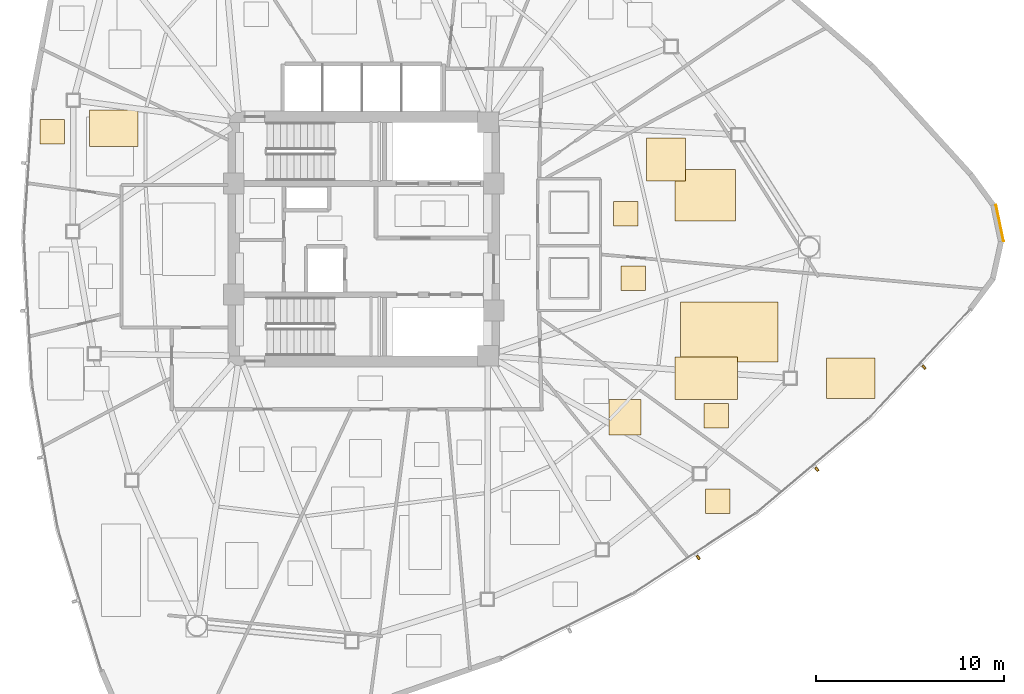
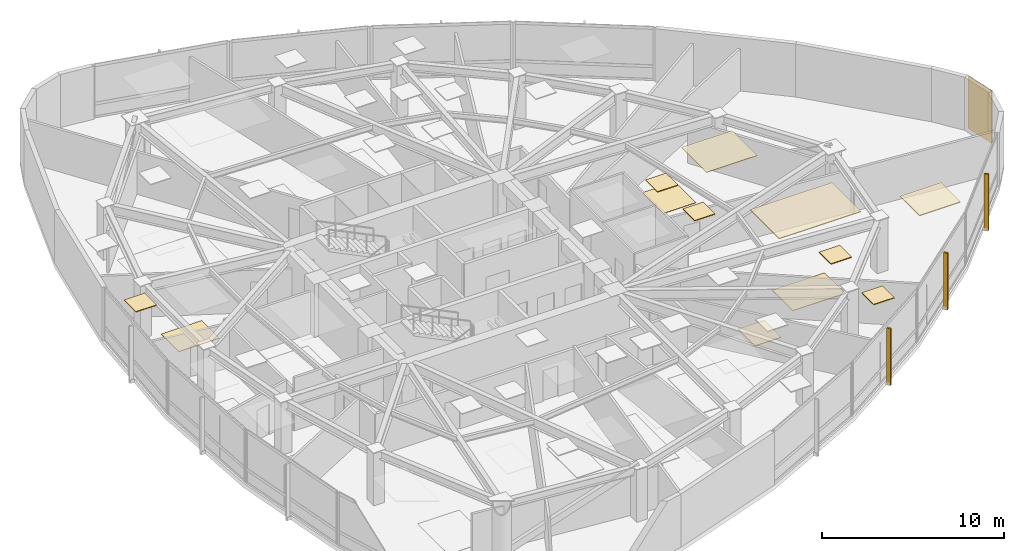
# One storey, part 17 of 18: 13 coverings, 3 shading devices.
"""IFC4 building model written with IfcOpenShell, lengths in metres."""

import ifcopenshell
import ifcopenshell.guid

model = None  # the IFC model being written
_history = None  # IfcOwnerHistory: only IFC2X3 demands one
_inside = {}  # id of a spatial element -> (the spatial element, [elements in it])
_under = {}  # id of a project, library or spatial element -> (it, [spatial elements below it])
_declared = {}  # id of a project -> (the project, [libraries it declares])
_typed = {}  # id of a type object -> (the type object, [elements of that type])
_made_of = {}  # id of a material, layer set ... -> (it, [elements and type objects made of it])


def new_model(schema):
    """Start an empty IFC model of exactly this schema.

    Asked for "IFC4X3", IfcOpenShell would pick the latest addendum, in which some entities
    have other attributes; the version numbers below select the first issue.
    IFC2X3 requires an IfcOwnerHistory on every rooted entity: one is made here for all.
    """
    global model, _history
    if schema == "IFC4X3":
        model = ifcopenshell.file(schema_version=(4, 3, 0, 0))
    else:
        model = ifcopenshell.file(schema=schema)
    _inside.clear()
    _under.clear()
    _declared.clear()
    _typed.clear()
    _made_of.clear()
    _history = None
    if model.schema == "IFC2X3":
        org = make("IfcOrganization", Name="unknown")
        user = make(
            "IfcPersonAndOrganization",
            ThePerson=make("IfcPerson", FamilyName="unknown"),
            TheOrganization=org,
        )
        app = make(
            "IfcApplication",
            ApplicationDeveloper=org,
            Version="unknown",
            ApplicationFullName="unknown",
            ApplicationIdentifier="unknown",
        )
        _history = make(
            "IfcOwnerHistory",
            OwningUser=user,
            OwningApplication=app,
            ChangeAction="ADDED",
            CreationDate=0,
        )
    return model


def make(cls, **values):
    """One entity of the class cls with the attributes given. An attribute that is None is left unset."""
    return model.create_entity(
        cls, **{name: value for name, value in values.items() if value is not None}
    )


def rooted(cls, **values):
    """An entity with a GlobalId (a new one), such as an element, a storey or a relation."""
    return make(cls, GlobalId=ifcopenshell.guid.new(), OwnerHistory=_history, **values)


def si_unit(unit_type, name, prefix=None):
    """IfcSIUnit, for example si_unit("LENGTHUNIT", "METRE", prefix="MILLI")."""
    return make("IfcSIUnit", UnitType=unit_type, Prefix=prefix, Name=name)


def assignment(units):
    """IfcUnitAssignment: the units of a project."""
    return None if units is None else make("IfcUnitAssignment", Units=units)


def point(xyz):
    """IfcCartesianPoint."""
    return None if xyz is None else make("IfcCartesianPoint", Coordinates=xyz)


def direction(xyz):
    """IfcDirection."""
    return None if xyz is None else make("IfcDirection", DirectionRatios=xyz)


def frame(location, z_axis=None, x_axis=None):
    """IfcAxis2Placement3D, a coordinate frame: its origin and axes. An axis left out is left unset."""
    return make(
        "IfcAxis2Placement3D",
        Location=point(location),
        Axis=direction(z_axis),
        RefDirection=direction(x_axis),
    )


def frame_2d(location, x_axis=None):
    """IfcAxis2Placement2D, a coordinate frame in the plane: its origin and x axis."""
    return make(
        "IfcAxis2Placement2D", Location=point(location), RefDirection=direction(x_axis)
    )


def origin():
    """The frame at (0, 0, 0) with its axes left unset."""
    return frame((0.0, 0.0, 0.0))


def origin_2d():
    """The frame at (0, 0) in the plane with its x axis left unset."""
    return frame_2d((0.0, 0.0))


def place(relative_to, where):
    """IfcLocalPlacement: puts the frame where relative to a parent placement (None: the world)."""
    return make(
        "IfcLocalPlacement", PlacementRelTo=relative_to, RelativePlacement=where
    )


def context(
    kind, dimensions, precision=None, world=None, true_north=None, identifier=None
):
    """IfcGeometricRepresentationContext, for example the 3D "Model" context."""
    return make(
        "IfcGeometricRepresentationContext",
        ContextIdentifier=identifier,
        ContextType=kind,
        CoordinateSpaceDimension=dimensions,
        Precision=precision,
        WorldCoordinateSystem=world,
        TrueNorth=true_north,
    )


def subcontext(parent, identifier, kind, view, scale=None):
    """IfcGeometricRepresentationSubContext, for example "Body" below "Model"."""
    return make(
        "IfcGeometricRepresentationSubContext",
        ContextIdentifier=identifier,
        ContextType=kind,
        ParentContext=parent,
        TargetScale=scale,
        TargetView=view,
    )


def project(units=None, contexts=None):
    """IfcProject with its units and contexts."""
    return rooted(
        "IfcProject",
        Name="project",
        RepresentationContexts=contexts,
        UnitsInContext=assignment(units),
    )


def spatial(cls, under=None, at=None, **own):
    """A site, building, storey or space (cls), placed at a placement, below another one or the project."""
    s = rooted(cls, ObjectPlacement=at, **own)
    if under is not None:
        _under.setdefault(under.id(), (under, []))[1].append(s)
    return s


def polyline(points):
    """IfcPolyline through the points."""
    return make("IfcPolyline", Points=[point(p) for p in points])


def profile(cls, at=None, kind="AREA", **sizes):
    """A parametric profile (cls). Its sizes go by their IFC names, for example OverallWidth=200.0."""
    return make(cls, ProfileType=kind, Position=at, **sizes)


def rectangle(**sizes):
    """IfcRectangleProfileDef."""
    return profile("IfcRectangleProfileDef", **sizes)


def outline(outer, holes=None, kind="AREA"):
    """IfcArbitraryClosedProfileDef: a profile drawn as a closed curve; with holes, ...WithVoids."""
    if holes is None:
        return make("IfcArbitraryClosedProfileDef", ProfileType=kind, OuterCurve=outer)
    return make(
        "IfcArbitraryProfileDefWithVoids",
        ProfileType=kind,
        OuterCurve=outer,
        InnerCurves=holes,
    )


def extrude(swept, where, along, depth):
    """IfcExtrudedAreaSolid: the profile swept, set in the frame where, extruded along a direction by depth."""
    return make(
        "IfcExtrudedAreaSolid",
        SweptArea=swept,
        Position=where,
        ExtrudedDirection=direction(along),
        Depth=depth,
    )


def shape(context_of_items, identifier, shape_type, items):
    """IfcShapeRepresentation: the items that make up one representation, for example the "Body"."""
    return make(
        "IfcShapeRepresentation",
        ContextOfItems=context_of_items,
        RepresentationIdentifier=identifier,
        RepresentationType=shape_type,
        Items=items,
    )


def source(mapping_origin, context_of_items, identifier, shape_type, items):
    """IfcRepresentationMap: a shape defined once, which mapped items show again and again."""
    return make(
        "IfcRepresentationMap",
        MappingOrigin=mapping_origin,
        MappedRepresentation=shape(context_of_items, identifier, shape_type, items),
    )


def transform(
    local_origin,
    x_axis=None,
    y_axis=None,
    z_axis=None,
    scale=None,
    scale2=None,
    scale3=None,
    uniform=True,
):
    """IfcCartesianTransformationOperator3D, or its non-uniform kind. x_axis, y_axis, z_axis: its Axis1, 2, 3."""
    if uniform:
        return make(
            "IfcCartesianTransformationOperator3D",
            Axis1=direction(x_axis),
            Axis2=direction(y_axis),
            LocalOrigin=point(local_origin),
            Scale=scale,
            Axis3=direction(z_axis),
        )
    return make(
        "IfcCartesianTransformationOperator3DnonUniform",
        Axis1=direction(x_axis),
        Axis2=direction(y_axis),
        LocalOrigin=point(local_origin),
        Scale=scale,
        Axis3=direction(z_axis),
        Scale2=scale2,
        Scale3=scale3,
    )


def mapped(mapping_source, mapping_target):
    """IfcMappedItem: shows the shape of a source again, moved by a transform."""
    return make(
        "IfcMappedItem", MappingSource=mapping_source, MappingTarget=mapping_target
    )


def material(Name=None, Category=None):
    """IfcMaterial."""
    return make("IfcMaterial", Name=Name, Category=Category)


def layer(
    of_material, thickness, ventilated=None, Name=None, Category=None, Priority=None
):
    """IfcMaterialLayer: one layer of a wall or slab, of a material (None: an air gap)."""
    return make(
        "IfcMaterialLayer",
        Material=of_material,
        LayerThickness=thickness,
        IsVentilated=ventilated,
        Name=Name,
        Category=Category,
        Priority=Priority,
    )


def layer_set(layers, Name=None):
    """IfcMaterialLayerSet."""
    return make("IfcMaterialLayerSet", MaterialLayers=layers, LayerSetName=Name)


def made_of(thing, what):
    """Note that an element or type object is made of a material, layer set ...; save() writes the relation."""
    if what is not None:
        _made_of.setdefault(what.id(), (what, []))[1].append(thing)
    return thing


def type_object(cls, material=None, **own):
    """A type object (cls), such as IfcWallType, which elements share."""
    return made_of(rooted(cls, **own), material)


def type_shapes(of_type, sources):
    """Give a type object the sources (RepresentationMaps) that its elements show as mapped items."""
    of_type.RepresentationMaps = sources


def element(
    cls,
    number,
    at=None,
    inside=None,
    cuts=None,
    type_object=None,
    material=None,
    context=None,
    identifier="Body",
    shape_type=None,
    held_by="IfcProductDefinitionShape",
    body=None,
    shapes=None,
    **own,
):
    """One element of the class cls, such as IfcWall. Its Tag is "e" and its number.

    at: its placement. inside: the storey or other place that contains it. cuts: it is an
    opening in that element (IfcRelVoidsElement). A single representation is given by context,
    identifier, shape_type and body (its items); several are given by shapes. held_by: the class
    of the entity that holds the representations. save() writes the other relations.
    """
    e = rooted(cls, Tag="e%d" % number, ObjectPlacement=at, **own)
    if body is not None:
        shapes = [shape(context, identifier, shape_type, body)]
    if shapes is not None:
        e.Representation = make(held_by, Representations=shapes)
    if inside is not None:
        _inside.setdefault(inside.id(), (inside, []))[1].append(e)
    if cuts is not None:
        rooted(
            "IfcRelVoidsElement", RelatingBuildingElement=cuts, RelatedOpeningElement=e
        )
    if type_object is not None:
        _typed.setdefault(type_object.id(), (type_object, []))[1].append(e)
    return made_of(e, material)


def aggregate(whole, parts):
    """IfcRelAggregates: a whole, such as a stair, and the parts it consists of."""
    return rooted("IfcRelAggregates", RelatingObject=whole, RelatedObjects=parts)


def save(model, path):
    """Write the relations noted so far, then the file.

    IfcRelAggregates (storeys below a building ...), IfcRelContainedInSpatialStructure (elements
    in a storey), IfcRelDefinesByType, IfcRelAssociatesMaterial and IfcRelDeclares: one each for
    every whole, place, type object, material and project.
    """
    for whole, parts in _under.values():
        aggregate(whole, parts)
    for where, things in _inside.values():
        rooted(
            "IfcRelContainedInSpatialStructure",
            RelatedElements=things,
            RelatingStructure=where,
        )
    for kind, things in _typed.values():
        rooted("IfcRelDefinesByType", RelatedObjects=things, RelatingType=kind)
    for what, things in _made_of.values():
        rooted("IfcRelAssociatesMaterial", RelatedObjects=things, RelatingMaterial=what)
    for by, libraries in _declared.values():
        rooted("IfcRelDeclares", RelatingContext=by, RelatedDefinitions=libraries)
    model.write(path)


model = new_model("IFC4")

# Units and contexts
model_context = context("Model", 3, precision=1e-05, world=origin(), true_north=direction((0.0, 1.0)))
body_context = subcontext(model_context, "Body", "Model", "MODEL_VIEW")
ifc_project = project(units=[si_unit("LENGTHUNIT", "METRE"), si_unit("AREAUNIT", "SQUARE_METRE"), si_unit("VOLUMEUNIT", "CUBIC_METRE"), si_unit("PLANEANGLEUNIT", "RADIAN"), si_unit("MASSUNIT", "GRAM", prefix="KILO")], contexts=[model_context])

# Site, building, storey
site_placement = place(None, origin())
site = spatial("IfcSite", under=ifc_project, at=site_placement, CompositionType="ELEMENT")
building_placement = place(site_placement, origin())
building = spatial("IfcBuilding", under=site, at=building_placement, Name="Tavelor Broadcast Tower", CompositionType="ELEMENT")
storey_placement = place(building_placement, frame((0.0, 0.0, 157.949951171875)))
storey = spatial("IfcBuildingStorey", under=building, at=storey_placement, Name="L37", CompositionType="ELEMENT", Elevation=157.949951171875)

# Coverings
ifc_material_1 = material(Name="Copper-Bronze Anodized Aluminium", Category="aluminium")
ifc_layer_1 = layer(ifc_material_1, 0.050048828125)
ifc_layer_set_1 = layer_set([ifc_layer_1], Name="Copper-Bronze Anodized Aluminium")
covering_type_1 = type_object("IfcCoveringType", Name="Champagne-Bronze Corner Pier Metal Cladding 50 mm", PredefinedType="CLADDING", material=ifc_layer_set_1)
covering_1_placement = place(storey_placement, frame((83.7880859375, 45.85009765625, 0.02001953125), z_axis=(0.0, 0.0, 1.0), x_axis=(-0.205350196811, 0.978688559589, 0.0)))
element("IfcCovering", 1, at=covering_1_placement, inside=storey, type_object=covering_type_1, Name="L37 Champagne-Bronze Corner Cladding 23", PredefinedType="CLADDING", context=body_context, shape_type="SweptSolid", body=[
    extrude(rectangle(XDim=1.962890625, YDim=0.050048828125, at=origin_2d()), origin(), (0.0, 0.0, 1.0), 3.510009765625),
])
ifc_material_2 = material(Name="Acoustic Nylon Carpet Tile")
ifc_layer_2 = layer(ifc_material_2, 0.02001953125)
ifc_layer_set_2 = layer_set([ifc_layer_2], Name="Acoustic Nylon Carpet Tile")
covering_type_2 = type_object("IfcCoveringType", Name="Heavy-Duty Acoustic Broadcast Carpet Tile 20 mm", PredefinedType="FLOORING", material=ifc_layer_set_2)
covering_2_placement = place(storey_placement, origin())
element("IfcCovering", 2, at=covering_2_placement, inside=storey, type_object=covering_type_2, Name="L37 Broadcast Floor Finish 0554", PredefinedType="FLOORING", context=body_context, shape_type="SweptSolid", body=[
    extrude(outline(polyline([(65.030517578125, 48.08740234375), (67.089599609375, 48.08740234375), (67.089599609375, 50.378173828125), (65.030517578125, 50.378173828125), (65.030517578125, 48.08740234375)])), origin(), (0.0, 0.0, 1.0), 0.02001953125),
])
ifc_material_3 = material(Name="Acoustic Hardwood Studio Flooring", Category="wood")
ifc_layer_3 = layer(ifc_material_3, 0.034912109375)
ifc_layer_set_3 = layer_set([ifc_layer_3], Name="Acoustic Hardwood Studio Flooring")
covering_type_3 = type_object("IfcCoveringType", Name="Isolated Studio Acoustic Elastomeric Floor Finish 35 mm", PredefinedType="FLOORING", material=ifc_layer_set_3)
covering_3_placement = place(storey_placement, origin())
element("IfcCovering", 3, at=covering_3_placement, inside=storey, type_object=covering_type_3, Name="L37 Broadcast Floor Finish 0540", PredefinedType="FLOORING", context=body_context, shape_type="SweptSolid", body=[
    extrude(outline(polyline([(66.523193359375, 36.475341796875), (69.848388671875, 36.475341796875), (69.848388671875, 38.7451171875), (66.523193359375, 38.7451171875), (66.523193359375, 36.475341796875)])), origin(), (0.0, 0.0, 1.0), 0.03515625),
])
covering_4_placement = place(storey_placement, origin())
element("IfcCovering", 4, at=covering_4_placement, inside=storey, type_object=covering_type_3, Name="L37 Broadcast Floor Finish 0541", PredefinedType="FLOORING", context=body_context, shape_type="SweptSolid", body=[
    extrude(outline(polyline([(63.0400390625, 34.5966796875), (64.72705078125, 34.5966796875), (64.72705078125, 36.469482421875), (63.0400390625, 36.469482421875), (63.0400390625, 34.5966796875)])), origin(), (0.0, 0.0, 1.0), 0.03515625),
])
covering_5_placement = place(storey_placement, origin())
element("IfcCovering", 5, at=covering_5_placement, inside=storey, type_object=covering_type_3, Name="L37 Broadcast Floor Finish 0548", PredefinedType="FLOORING", context=body_context, shape_type="SweptSolid", body=[
    extrude(outline(polyline([(35.43505859375, 49.914306640625), (38.00634765625, 49.914306640625), (38.00634765625, 51.856689453125), (35.43505859375, 51.856689453125), (35.43505859375, 49.914306640625)])), origin(), (0.0, 0.0, 1.0), 0.03515625),
])
ifc_material_4 = material(Name="Acoustic Perforated Timber Baffle", Category="wood")
ifc_layer_4 = layer(ifc_material_4, 0.054931640625)
ifc_layer_set_4 = layer_set([ifc_layer_4], Name="Acoustic Perforated Timber Baffle")
covering_type_4 = type_object("IfcCoveringType", Name="Micro-Perforated Acoustic Baffle Studio Ceiling 55 mm", PredefinedType="CEILING", material=ifc_layer_set_4)
covering_6_placement = place(storey_placement, frame((0.0, 0.0, 3.4951171875)))
element("IfcCovering", 6, at=covering_6_placement, inside=storey, type_object=covering_type_4, Name="L37 Suspended Acoustic Ceiling 1526", PredefinedType="CEILING", context=body_context, shape_type="SweptSolid", body=[
    extrude(outline(polyline([(63.66259765625, 42.276611328125), (64.962646484375, 42.276611328125), (64.962646484375, 43.57666015625), (63.66259765625, 43.57666015625), (63.66259765625, 42.276611328125)])), origin(), (0.0, 0.0, 1.0), 0.054931640625),
])
covering_7_placement = place(storey_placement, frame((0.0, 0.0, 3.4951171875)))
element("IfcCovering", 7, at=covering_7_placement, inside=storey, type_object=covering_type_4, Name="L37 Suspended Acoustic Ceiling 1527", PredefinedType="CEILING", context=body_context, shape_type="SweptSolid", body=[
    extrude(outline(polyline([(66.817138671875, 38.479248046875), (72.010009765625, 38.479248046875), (72.010009765625, 41.66943359375), (66.817138671875, 41.66943359375), (66.817138671875, 38.479248046875)])), origin(), (0.0, 0.0, 1.0), 0.054931640625),
])
covering_8_placement = place(storey_placement, frame((0.0, 0.0, 3.4951171875)))
element("IfcCovering", 8, at=covering_8_placement, inside=storey, type_object=covering_type_4, Name="L37 Suspended Acoustic Ceiling 1528", PredefinedType="CEILING", context=body_context, shape_type="SweptSolid", body=[
    extrude(outline(polyline([(74.577392578125, 36.540283203125), (77.1708984375, 36.540283203125), (77.1708984375, 38.674560546875), (74.577392578125, 38.674560546875), (74.577392578125, 36.540283203125)])), origin(), (0.0, 0.0, 1.0), 0.054931640625),
])
covering_9_placement = place(storey_placement, frame((0.0, 0.0, 3.4951171875)))
element("IfcCovering", 9, at=covering_9_placement, inside=storey, type_object=covering_type_4, Name="L37 Suspended Acoustic Ceiling 1529", PredefinedType="CEILING", context=body_context, shape_type="SweptSolid", body=[
    extrude(outline(polyline([(68.0712890625, 34.963134765625), (69.371337890625, 34.963134765625), (69.371337890625, 36.26318359375), (68.0712890625, 36.26318359375), (68.0712890625, 34.963134765625)])), origin(), (0.0, 0.0, 1.0), 0.054931640625),
])
covering_10_placement = place(storey_placement, frame((0.0, 0.0, 3.4951171875)))
element("IfcCovering", 10, at=covering_10_placement, inside=storey, type_object=covering_type_4, Name="L37 Suspended Acoustic Ceiling 1531", PredefinedType="CEILING", context=body_context, shape_type="SweptSolid", body=[
    extrude(outline(polyline([(68.153564453125, 30.429443359375), (69.45361328125, 30.429443359375), (69.45361328125, 31.7294921875), (68.153564453125, 31.7294921875), (68.153564453125, 30.429443359375)])), origin(), (0.0, 0.0, 1.0), 0.054931640625),
])
covering_11_placement = place(storey_placement, frame((0.0, 0.0, 3.4951171875)))
element("IfcCovering", 11, at=covering_11_placement, inside=storey, type_object=covering_type_4, Name="L37 Suspended Acoustic Ceiling 1550", PredefinedType="CEILING", context=body_context, shape_type="SweptSolid", body=[
    extrude(outline(polyline([(32.796142578125, 50.044189453125), (34.09619140625, 50.044189453125), (34.09619140625, 51.343994140625), (32.796142578125, 51.343994140625), (32.796142578125, 50.044189453125)])), origin(), (0.0, 0.0, 1.0), 0.054931640625),
])
ifc_material_5 = material(Name="Acoustic Mineral Fibre Tile")
ifc_layer_5 = layer(ifc_material_5, 0.0400390625)
ifc_layer_set_5 = layer_set([ifc_layer_5], Name="Acoustic Mineral Fibre Tile")
covering_type_5 = type_object("IfcCoveringType", Name="Suspended Acoustic Mineral-Fibre Office Ceiling 40 mm", PredefinedType="CEILING", material=ifc_layer_set_5)
covering_12_placement = place(storey_placement, frame((0.0, 0.0, 3.510009765625)))
element("IfcCovering", 12, at=covering_12_placement, inside=storey, type_object=covering_type_5, Name="L37 Suspended Acoustic Ceiling 1568", PredefinedType="CEILING", context=body_context, shape_type="SweptSolid", body=[
    extrude(outline(polyline([(66.535400390625, 45.947265625), (69.748046875, 45.947265625), (69.748046875, 48.697509765625), (66.535400390625, 48.697509765625), (66.535400390625, 45.947265625)])), origin(), (0.0, 0.0, 1.0), 0.0400390625),
])
covering_13_placement = place(storey_placement, frame((0.0, 0.0, 3.510009765625)))
element("IfcCovering", 13, at=covering_13_placement, inside=storey, type_object=covering_type_5, Name="L37 Suspended Acoustic Ceiling 1569", PredefinedType="CEILING", context=body_context, shape_type="SweptSolid", body=[
    extrude(outline(polyline([(63.27099609375, 45.68359375), (64.57080078125, 45.68359375), (64.57080078125, 46.983642578125), (63.27099609375, 46.983642578125), (63.27099609375, 45.68359375)])), origin(), (0.0, 0.0, 1.0), 0.0400390625),
])

# Shading devices
ifc_material_6 = material(Name="Kiln-Fired Glazed Terracotta", Category="masonry")
shading_device_type = type_object("IfcShadingDeviceType", Name="Extruded Terracotta Baguette Sun-Screen 110x240", PredefinedType="JALOUSIE", material=ifc_material_6)
shared_shape = source(origin(), body_context, "Body", "SweptSolid", [
    extrude(rectangle(XDim=0.110107421875, YDim=0.239990234375, at=origin_2d()), origin(), (0.0, 0.0, 1.0), 3.7900390625),
])
type_shapes(shading_device_type, [shared_shape])
for number, where, z_axis, x_axis, name in (
    (14, (67.77197265625, 28.082275390625, -0.260009765625), (0.0, 0.0, 1.0), (0.836955398099, 0.547271104292, 0.0), "L37 Terracotta Baguette Fin 378"),
    (15, (74.0751953125, 32.772216796875, -0.260009765625), (0.0, 0.0, 1.0), (0.764584033736, 0.644524053357, 0.0), "L37 Terracotta Baguette Fin 379"),
    (16, (79.764404296875, 38.190185546875, -0.260009765625), (0.0, 0.0, 1.0), (0.680976533192, 0.732305237754, 0.0), "L37 Terracotta Baguette Fin 380"),
):
    element("IfcShadingDevice", number, at=place(storey_placement, frame(where, z_axis=z_axis, x_axis=x_axis)), inside=storey, type_object=shading_device_type, Name=name, PredefinedType="JALOUSIE", context=body_context, shape_type="MappedRepresentation", body=[
        mapped(shared_shape, transform((0.0, 0.0, 0.0), scale=1.0)),
    ])

save(model, "model.ifc")
